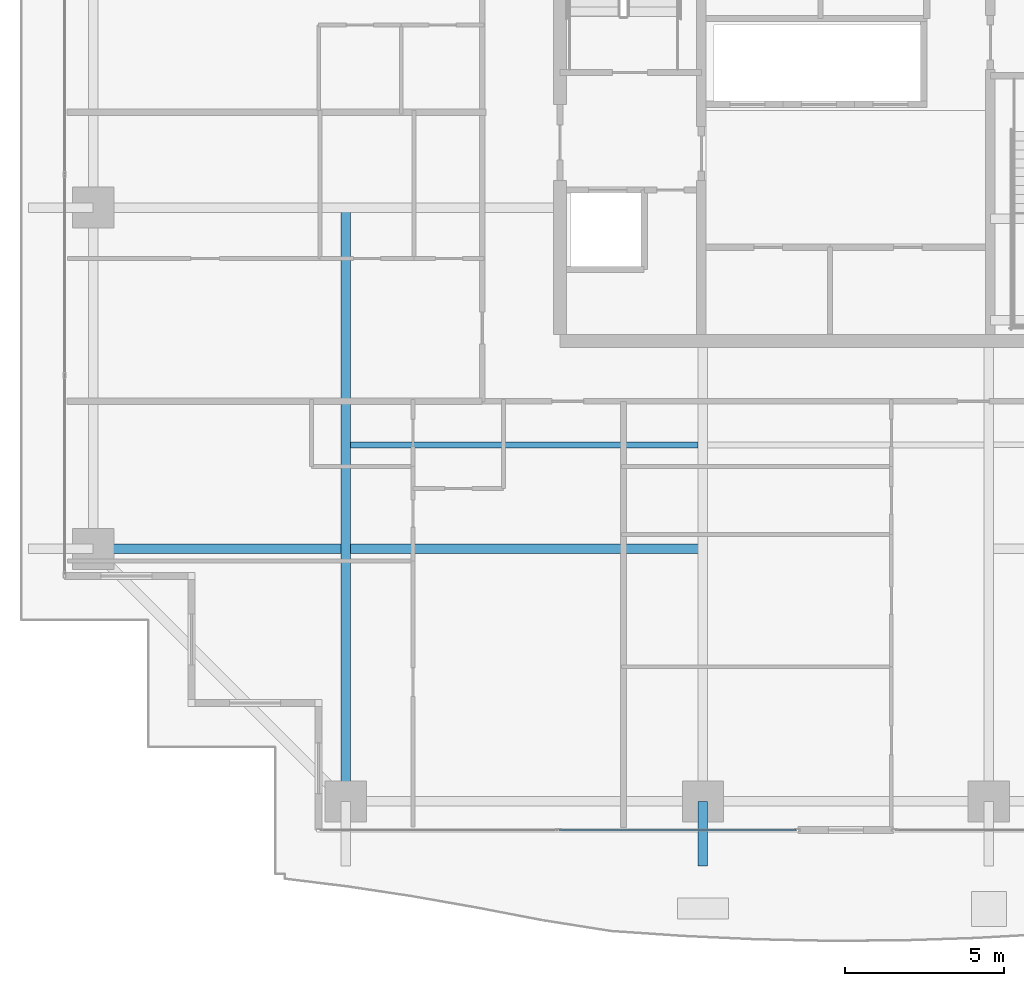
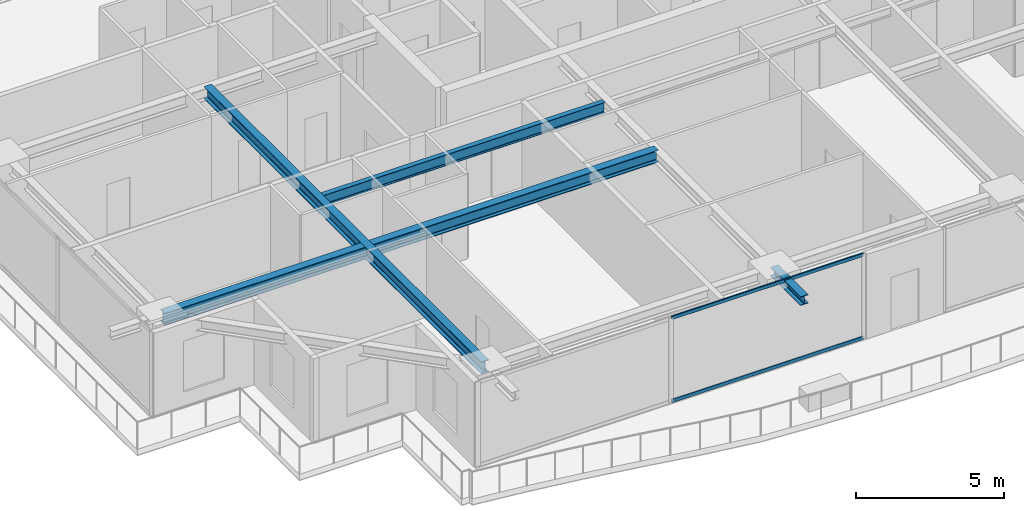
# One storey, part 4 of 36: 4 beams, 2 members, 1 element without a shape of its own.
"""IFC4 building model written with IfcOpenShell, lengths in metres."""

from ifc_helpers import new_model, si_unit, direction, frame, origin, origin_2d, place, context, subcontext, project, spatial, hollow_rectangle, i_section, extrude, source, transform, mapped, material, layer, layer_set, material_profile, profile_set, type_object, element, aggregate, save


model = new_model("IFC4")

# Units and contexts
model_context = context("Model", 3, precision=1e-05, world=origin(), true_north=direction((0.0, 1.0)))
body_context = subcontext(model_context, "Body", "Model", "MODEL_VIEW")
ifc_project = project(units=[si_unit("LENGTHUNIT", "METRE"), si_unit("AREAUNIT", "SQUARE_METRE"), si_unit("VOLUMEUNIT", "CUBIC_METRE"), si_unit("PLANEANGLEUNIT", "RADIAN"), si_unit("MASSUNIT", "GRAM", prefix="KILO")], contexts=[model_context])

# Site, building, storey
site_placement = place(None, origin())
site = spatial("IfcSite", under=ifc_project, at=site_placement, CompositionType="ELEMENT")
building_placement = place(site_placement, origin())
building = spatial("IfcBuilding", under=site, at=building_placement, Name="Serunith Strait Residences", CompositionType="ELEMENT")
storey_placement = place(building_placement, frame((0.0, 0.0, 131.39990234375)))
storey = spatial("IfcBuildingStorey", under=building, at=storey_placement, Name="L32", CompositionType="ELEMENT", Elevation=131.39990234375)

# Beams
ifc_material_1 = material(Name="Steel S355J2", Category="steel")
ifc_material_profile_1 = material_profile(ifc_material_1, i_section(OverallWidth=0.300048828125, OverallDepth=0.5, WebThickness=0.014404296875, FlangeThickness=0.028076171875, FilletRadius=0.027099609375, at=origin_2d()), Name="HEB 500")
ifc_profile_set_1 = profile_set([ifc_material_profile_1], Name="Steel S355J2")
beam_type_1 = type_object("IfcBeamType", Name="BM-HEB500", PredefinedType="BEAM", material=ifc_profile_set_1)
shared_shape_1 = source(origin(), body_context, "Body", "SweptSolid", [
    extrude(i_section(OverallWidth=0.300048828125, OverallDepth=0.5, WebThickness=0.014404296875, FlangeThickness=0.028076171875, FilletRadius=0.027099609375, at=origin_2d()), origin(), (0.0, 0.0, 1.0), 18.699951171875),
])
beam_1_placement = place(storey_placement, frame((16.64990234375, 21.0, 3.237060546875), z_axis=(0.0, -1.0, 0.0), x_axis=(1.0, 0.0, 0.0)))
element("IfcBeam", 1, at=beam_1_placement, inside=storey, type_object=beam_type_1, Name="L32 Orthogonal Corner Girder TC-S1", PredefinedType="BEAM", context=body_context, shape_type="MappedRepresentation", body=[
    mapped(shared_shape_1, transform((0.0, 0.0, 0.0), scale=1.0)),
])
shared_shape_2 = source(origin(), body_context, "Body", "SweptSolid", [
    extrude(i_section(OverallWidth=0.300048828125, OverallDepth=0.5, WebThickness=0.014404296875, FlangeThickness=0.028076171875, FilletRadius=0.027099609375, at=origin_2d()), origin(), (0.0, 0.0, 1.0), 19.199951171875),
])
beam_2_placement = place(storey_placement, frame((27.89990234375, 10.25, 3.237060546875), z_axis=(-1.0, 0.0, 0.0), x_axis=(0.0, -1.0, 0.0)))
element("IfcBeam", 2, at=beam_2_placement, inside=storey, type_object=beam_type_1, Name="L32 Orthogonal Corner Girder TC-W1", PredefinedType="BEAM", context=body_context, shape_type="MappedRepresentation", body=[
    mapped(shared_shape_2, transform((0.0, 0.0, 0.0), scale=1.0)),
])
ifc_material_profile_2 = material_profile(ifc_material_1, i_section(OverallWidth=0.18994140625, OverallDepth=0.449951171875, WebThickness=0.009521484375, FlangeThickness=0.0146484375, FilletRadius=0.02099609375, at=origin_2d()), Name="IPE 450")
ifc_profile_set_2 = profile_set([ifc_material_profile_2], Name="Steel S355J2")
beam_type_2 = type_object("IfcBeamType", Name="BM-IPE450", PredefinedType="JOIST", material=ifc_profile_set_2)
shared_shape_3 = source(origin(), body_context, "Body", "SweptSolid", [
    extrude(i_section(OverallWidth=0.18994140625, OverallDepth=0.449951171875, WebThickness=0.009521484375, FlangeThickness=0.0146484375, FilletRadius=0.02099609375, at=origin_2d()), origin(), (0.0, 0.0, 1.0), 10.949951171875),
])
beam_3_placement = place(storey_placement, frame((16.800048828125, 13.52490234375, 3.26220703125), z_axis=(1.0, 0.0, 0.0), x_axis=(0.0, 1.0, 0.0)))
element("IfcBeam", 3, at=beam_3_placement, inside=storey, type_object=beam_type_2, Name="L32 Composite Floor Joist 01", PredefinedType="JOIST", context=body_context, shape_type="MappedRepresentation", body=[
    mapped(shared_shape_3, transform((0.0, 0.0, 0.0), scale=1.0)),
])
ifc_material_profile_3 = material_profile(ifc_material_1, i_section(OverallWidth=0.300048828125, OverallDepth=0.360107421875, WebThickness=0.012451171875, FlangeThickness=0.0224609375, FilletRadius=0.027099609375, at=origin_2d()), Name="HEB 360")
ifc_profile_set_3 = profile_set([ifc_material_profile_3], Name="Steel S355J2")
beam_type_3 = type_object("IfcBeamType", Name="BM-HEB360", PredefinedType="BEAM", material=ifc_profile_set_3)
shared_shape_4 = source(origin(), body_context, "Body", "SweptSolid", [
    extrude(i_section(OverallWidth=0.300048828125, OverallDepth=0.360107421875, WebThickness=0.012451171875, FlangeThickness=0.0224609375, FilletRadius=0.027099609375, at=origin_2d()), origin(), (0.0, 0.0, 1.0), 2.030029296875),
])
beam_4_placement = place(storey_placement, frame((27.89990234375, 2.300048828125, 3.277099609375), z_axis=(0.0, -1.0, 0.0), x_axis=(1.0, 0.0, 0.0)))
element("IfcBeam", 4, at=beam_4_placement, inside=storey, type_object=beam_type_3, Name="L33 Cantilevered Balcony Rib TC-S2", PredefinedType="BEAM", context=body_context, shape_type="MappedRepresentation", body=[
    mapped(shared_shape_4, transform((0.0, 0.0, 0.0), scale=1.0)),
])

# Curtain wall, members
ifc_material_2 = material(Name="Pale-Champagne Anodised Aluminium", Category="aluminium")
ifc_layer = layer(ifc_material_2, 0.199951171875, Name="Pale-Champagne Anodised Aluminium")
ifc_layer_set = layer_set([ifc_layer], Name="Pale-Champagne Anodised Aluminium")
curtain_wall_type = type_object("IfcCurtainWallType", Name="CW-SYS2", PredefinedType="NOTDEFINED", material=ifc_layer_set)
curtain_wall_placement = place(storey_placement, origin())
curtain_wall = element("IfcCurtainWall", 5, at=curtain_wall_placement, inside=storey, type_object=curtain_wall_type, Name="L32 S Unitised Fritted Curtain Wall", PredefinedType="NOTDEFINED")
ifc_material_profile_4 = material_profile(ifc_material_2, hollow_rectangle(XDim=0.06005859375, YDim=0.139892578125, WallThickness=0.00341796875, InnerFilletRadius=0.00537109375, OuterFilletRadius=0.0087890625, at=origin_2d()), Name="ALU 140x60x3.5")
ifc_profile_set_4 = profile_set([ifc_material_profile_4], Name="Pale-Champagne Anodised Aluminium")
member_type = type_object("IfcMemberType", Name="CW-SYS2-TRAN", PredefinedType="USERDEFINED", material=ifc_profile_set_4)
shared_shape_5 = source(origin(), body_context, "Body", "SweptSolid", [
    extrude(hollow_rectangle(XDim=0.06005859375, YDim=0.139892578125, WallThickness=0.00341796875, InnerFilletRadius=0.00537109375, OuterFilletRadius=0.0087890625, at=origin_2d()), origin(), (0.0, 0.0, 1.0), 7.445068359375),
])
member_1_placement = place(storey_placement, frame((23.385009765625, 1.39990234375, 0.030029296875), z_axis=(1.0, 0.0, 0.0), x_axis=(0.0, 1.0, 0.0)))
member_1 = element("IfcMember", 6, at=member_1_placement, type_object=member_type, Name="CW-2 transom 2.1", ObjectType="TRANSOM", PredefinedType="USERDEFINED", context=body_context, shape_type="MappedRepresentation", body=[
    mapped(shared_shape_5, transform((0.0, 0.0, 0.0), scale=1.0)),
])
member_2_placement = place(storey_placement, frame((23.385009765625, 1.39990234375, 3.445068359375), z_axis=(1.0, 0.0, 0.0), x_axis=(0.0, 1.0, 0.0)))
member_2 = element("IfcMember", 7, at=member_2_placement, type_object=member_type, Name="CW-2 transom 2.2", ObjectType="TRANSOM", PredefinedType="USERDEFINED", context=body_context, shape_type="MappedRepresentation", body=[
    mapped(shared_shape_5, transform((0.0, 0.0, 0.0), scale=1.0)),
])
aggregate(curtain_wall, [member_1, member_2])

save(model, "model.ifc")
